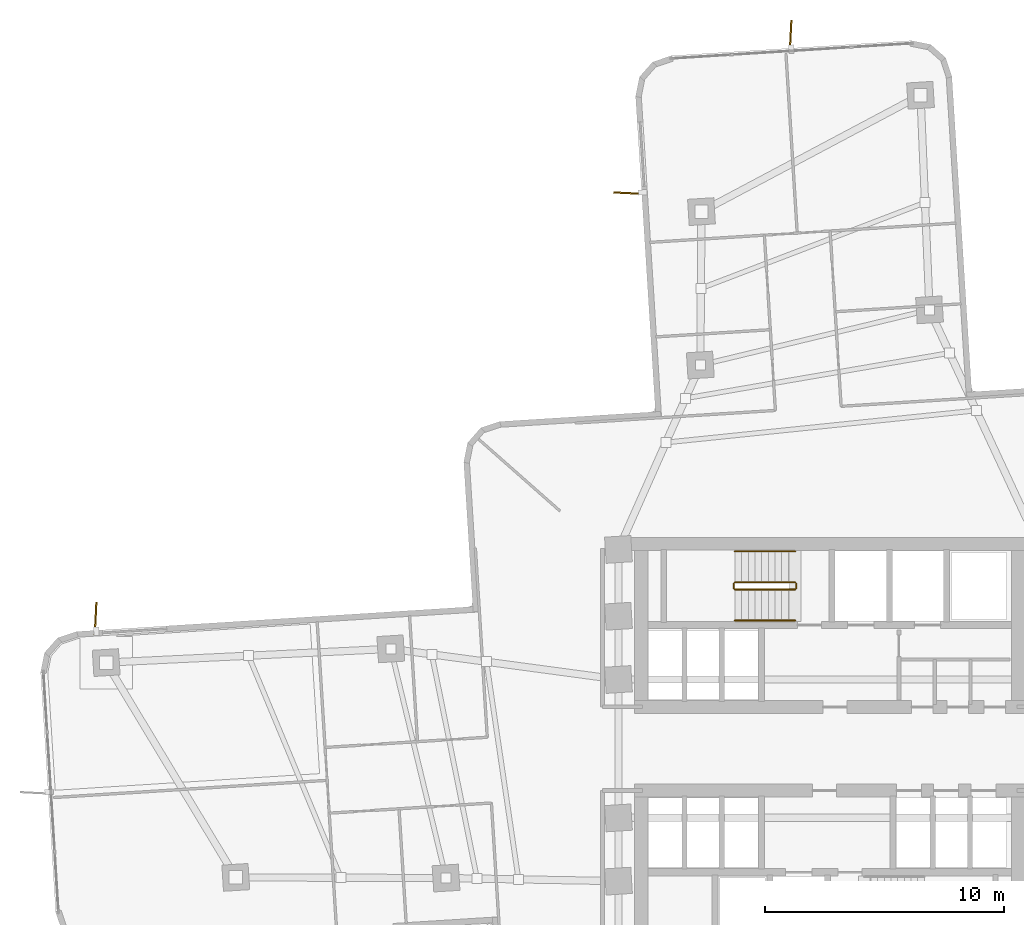
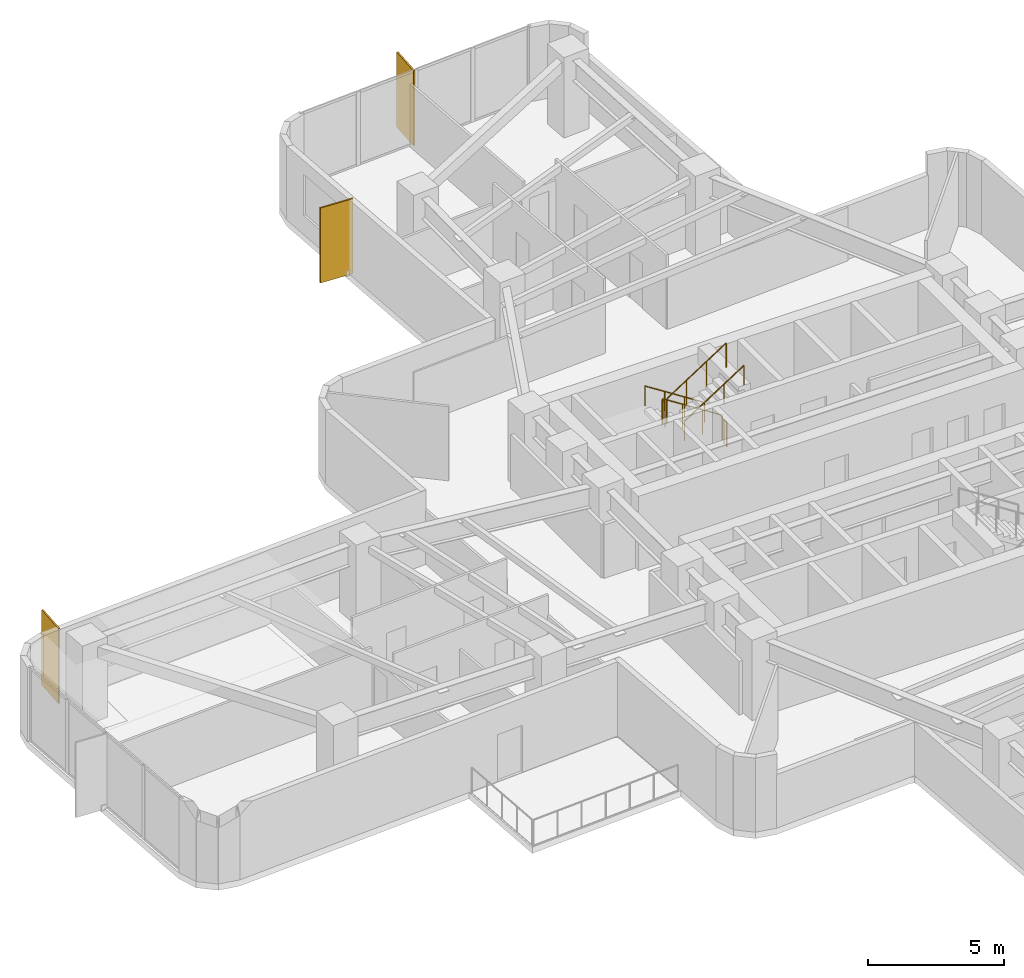
# One storey, part 15 of 16: 6 railings, 3 shading devices.
"""IFC4 building model written with IfcOpenShell, lengths in metres."""

import ifcopenshell
import ifcopenshell.guid

model = None  # the IFC model being written
_history = None  # IfcOwnerHistory: only IFC2X3 demands one
_inside = {}  # id of a spatial element -> (the spatial element, [elements in it])
_under = {}  # id of a project, library or spatial element -> (it, [spatial elements below it])
_declared = {}  # id of a project -> (the project, [libraries it declares])
_typed = {}  # id of a type object -> (the type object, [elements of that type])
_made_of = {}  # id of a material, layer set ... -> (it, [elements and type objects made of it])


def new_model(schema):
    """Start an empty IFC model of exactly this schema.

    Asked for "IFC4X3", IfcOpenShell would pick the latest addendum, in which some entities
    have other attributes; the version numbers below select the first issue.
    IFC2X3 requires an IfcOwnerHistory on every rooted entity: one is made here for all.
    """
    global model, _history
    if schema == "IFC4X3":
        model = ifcopenshell.file(schema_version=(4, 3, 0, 0))
    else:
        model = ifcopenshell.file(schema=schema)
    _inside.clear()
    _under.clear()
    _declared.clear()
    _typed.clear()
    _made_of.clear()
    _history = None
    if model.schema == "IFC2X3":
        org = make("IfcOrganization", Name="unknown")
        user = make(
            "IfcPersonAndOrganization",
            ThePerson=make("IfcPerson", FamilyName="unknown"),
            TheOrganization=org,
        )
        app = make(
            "IfcApplication",
            ApplicationDeveloper=org,
            Version="unknown",
            ApplicationFullName="unknown",
            ApplicationIdentifier="unknown",
        )
        _history = make(
            "IfcOwnerHistory",
            OwningUser=user,
            OwningApplication=app,
            ChangeAction="ADDED",
            CreationDate=0,
        )
    return model


def make(cls, **values):
    """One entity of the class cls with the attributes given. An attribute that is None is left unset."""
    return model.create_entity(
        cls, **{name: value for name, value in values.items() if value is not None}
    )


def rooted(cls, **values):
    """An entity with a GlobalId (a new one), such as an element, a storey or a relation."""
    return make(cls, GlobalId=ifcopenshell.guid.new(), OwnerHistory=_history, **values)


def si_unit(unit_type, name, prefix=None):
    """IfcSIUnit, for example si_unit("LENGTHUNIT", "METRE", prefix="MILLI")."""
    return make("IfcSIUnit", UnitType=unit_type, Prefix=prefix, Name=name)


def assignment(units):
    """IfcUnitAssignment: the units of a project."""
    return None if units is None else make("IfcUnitAssignment", Units=units)


def point(xyz):
    """IfcCartesianPoint."""
    return None if xyz is None else make("IfcCartesianPoint", Coordinates=xyz)


def direction(xyz):
    """IfcDirection."""
    return None if xyz is None else make("IfcDirection", DirectionRatios=xyz)


def frame(location, z_axis=None, x_axis=None):
    """IfcAxis2Placement3D, a coordinate frame: its origin and axes. An axis left out is left unset."""
    return make(
        "IfcAxis2Placement3D",
        Location=point(location),
        Axis=direction(z_axis),
        RefDirection=direction(x_axis),
    )


def frame_2d(location, x_axis=None):
    """IfcAxis2Placement2D, a coordinate frame in the plane: its origin and x axis."""
    return make(
        "IfcAxis2Placement2D", Location=point(location), RefDirection=direction(x_axis)
    )


def origin():
    """The frame at (0, 0, 0) with its axes left unset."""
    return frame((0.0, 0.0, 0.0))


def origin_2d():
    """The frame at (0, 0) in the plane with its x axis left unset."""
    return frame_2d((0.0, 0.0))


def place(relative_to, where):
    """IfcLocalPlacement: puts the frame where relative to a parent placement (None: the world)."""
    return make(
        "IfcLocalPlacement", PlacementRelTo=relative_to, RelativePlacement=where
    )


def context(
    kind, dimensions, precision=None, world=None, true_north=None, identifier=None
):
    """IfcGeometricRepresentationContext, for example the 3D "Model" context."""
    return make(
        "IfcGeometricRepresentationContext",
        ContextIdentifier=identifier,
        ContextType=kind,
        CoordinateSpaceDimension=dimensions,
        Precision=precision,
        WorldCoordinateSystem=world,
        TrueNorth=true_north,
    )


def subcontext(parent, identifier, kind, view, scale=None):
    """IfcGeometricRepresentationSubContext, for example "Body" below "Model"."""
    return make(
        "IfcGeometricRepresentationSubContext",
        ContextIdentifier=identifier,
        ContextType=kind,
        ParentContext=parent,
        TargetScale=scale,
        TargetView=view,
    )


def project(units=None, contexts=None):
    """IfcProject with its units and contexts."""
    return rooted(
        "IfcProject",
        Name="project",
        RepresentationContexts=contexts,
        UnitsInContext=assignment(units),
    )


def spatial(cls, under=None, at=None, **own):
    """A site, building, storey or space (cls), placed at a placement, below another one or the project."""
    s = rooted(cls, ObjectPlacement=at, **own)
    if under is not None:
        _under.setdefault(under.id(), (under, []))[1].append(s)
    return s


def profile(cls, at=None, kind="AREA", **sizes):
    """A parametric profile (cls). Its sizes go by their IFC names, for example OverallWidth=200.0."""
    return make(cls, ProfileType=kind, Position=at, **sizes)


def rectangle(**sizes):
    """IfcRectangleProfileDef."""
    return profile("IfcRectangleProfileDef", **sizes)


def circle(**sizes):
    """IfcCircleProfileDef."""
    return profile("IfcCircleProfileDef", **sizes)


def extrude(swept, where, along, depth):
    """IfcExtrudedAreaSolid: the profile swept, set in the frame where, extruded along a direction by depth."""
    return make(
        "IfcExtrudedAreaSolid",
        SweptArea=swept,
        Position=where,
        ExtrudedDirection=direction(along),
        Depth=depth,
    )


def shape(context_of_items, identifier, shape_type, items):
    """IfcShapeRepresentation: the items that make up one representation, for example the "Body"."""
    return make(
        "IfcShapeRepresentation",
        ContextOfItems=context_of_items,
        RepresentationIdentifier=identifier,
        RepresentationType=shape_type,
        Items=items,
    )


def material(Name=None, Category=None):
    """IfcMaterial."""
    return make("IfcMaterial", Name=Name, Category=Category)


def layer(
    of_material, thickness, ventilated=None, Name=None, Category=None, Priority=None
):
    """IfcMaterialLayer: one layer of a wall or slab, of a material (None: an air gap)."""
    return make(
        "IfcMaterialLayer",
        Material=of_material,
        LayerThickness=thickness,
        IsVentilated=ventilated,
        Name=Name,
        Category=Category,
        Priority=Priority,
    )


def layer_set(layers, Name=None):
    """IfcMaterialLayerSet."""
    return make("IfcMaterialLayerSet", MaterialLayers=layers, LayerSetName=Name)


def made_of(thing, what):
    """Note that an element or type object is made of a material, layer set ...; save() writes the relation."""
    if what is not None:
        _made_of.setdefault(what.id(), (what, []))[1].append(thing)
    return thing


def type_object(cls, material=None, **own):
    """A type object (cls), such as IfcWallType, which elements share."""
    return made_of(rooted(cls, **own), material)


def element(
    cls,
    number,
    at=None,
    inside=None,
    cuts=None,
    type_object=None,
    material=None,
    context=None,
    identifier="Body",
    shape_type=None,
    held_by="IfcProductDefinitionShape",
    body=None,
    shapes=None,
    **own,
):
    """One element of the class cls, such as IfcWall. Its Tag is "e" and its number.

    at: its placement. inside: the storey or other place that contains it. cuts: it is an
    opening in that element (IfcRelVoidsElement). A single representation is given by context,
    identifier, shape_type and body (its items); several are given by shapes. held_by: the class
    of the entity that holds the representations. save() writes the other relations.
    """
    e = rooted(cls, Tag="e%d" % number, ObjectPlacement=at, **own)
    if body is not None:
        shapes = [shape(context, identifier, shape_type, body)]
    if shapes is not None:
        e.Representation = make(held_by, Representations=shapes)
    if inside is not None:
        _inside.setdefault(inside.id(), (inside, []))[1].append(e)
    if cuts is not None:
        rooted(
            "IfcRelVoidsElement", RelatingBuildingElement=cuts, RelatedOpeningElement=e
        )
    if type_object is not None:
        _typed.setdefault(type_object.id(), (type_object, []))[1].append(e)
    return made_of(e, material)


def aggregate(whole, parts):
    """IfcRelAggregates: a whole, such as a stair, and the parts it consists of."""
    return rooted("IfcRelAggregates", RelatingObject=whole, RelatedObjects=parts)


def save(model, path):
    """Write the relations noted so far, then the file.

    IfcRelAggregates (storeys below a building ...), IfcRelContainedInSpatialStructure (elements
    in a storey), IfcRelDefinesByType, IfcRelAssociatesMaterial and IfcRelDeclares: one each for
    every whole, place, type object, material and project.
    """
    for whole, parts in _under.values():
        aggregate(whole, parts)
    for where, things in _inside.values():
        rooted(
            "IfcRelContainedInSpatialStructure",
            RelatedElements=things,
            RelatingStructure=where,
        )
    for kind, things in _typed.values():
        rooted("IfcRelDefinesByType", RelatedObjects=things, RelatingType=kind)
    for what, things in _made_of.values():
        rooted("IfcRelAssociatesMaterial", RelatedObjects=things, RelatingMaterial=what)
    for by, libraries in _declared.values():
        rooted("IfcRelDeclares", RelatingContext=by, RelatedDefinitions=libraries)
    model.write(path)


model = new_model("IFC4")

# Units and contexts
model_context = context("Model", 3, precision=1e-05, world=origin(), true_north=direction((0.0, 1.0)))
body_context = subcontext(model_context, "Body", "Model", "MODEL_VIEW")
ifc_project = project(units=[si_unit("LENGTHUNIT", "METRE"), si_unit("AREAUNIT", "SQUARE_METRE"), si_unit("VOLUMEUNIT", "CUBIC_METRE"), si_unit("PLANEANGLEUNIT", "RADIAN"), si_unit("MASSUNIT", "GRAM", prefix="KILO")], contexts=[model_context])

# Site, building, storey
site_placement = place(None, origin())
site = spatial("IfcSite", under=ifc_project, at=site_placement, CompositionType="ELEMENT")
building_placement = place(site_placement, origin())
building = spatial("IfcBuilding", under=site, at=building_placement, Name="Solmarez Civic Tower", CompositionType="ELEMENT")
storey_placement = place(building_placement, frame((0.0, 0.0, 53.280029296875)))
storey = spatial("IfcBuildingStorey", under=building, at=storey_placement, Name="L13", CompositionType="ELEMENT", Elevation=53.280029296875)

# Shading devices
ifc_material_1 = material(Name="Bronze Anodised Aluminium EN AW-6063 T6", Category="aluminium")
ifc_layer = layer(ifc_material_1, 0.06494140625)
ifc_layer_set = layer_set([ifc_layer], Name="Bronze Anodised Aluminium EN AW-6063 T6")
shading_device_type = type_object("IfcShadingDeviceType", Name="FIN-BRONZE-Z12", PredefinedType="USERDEFINED", material=ifc_layer_set)
for number, where, z_axis, x_axis, name in (
    (1, (-30.762939453125, 5.464111328125, -0.0400390625), (0.0, 0.0, 1.0), (0.050941555809, 0.998701636071, 0.0), "L13 Anodised Bronze Solar Fin FIN-L13-02"),
    (2, (-8.383056640625, 23.279052734375, -0.0400390625), (0.0, 0.0, 1.0), (-0.998703413659, 0.050906694514, 0.0), "L13 Anodised Bronze Solar Fin FIN-L13-03"),
    (3, (-1.637939453125, 29.861083984375, -0.0400390625), (0.0, 0.0, 1.0), (0.050941555809, 0.998701636071, 0.0), "L13 Anodised Bronze Solar Fin FIN-L13-04"),
):
    element("IfcShadingDevice", number, at=place(storey_placement, frame(where, z_axis=z_axis, x_axis=x_axis)), inside=storey, type_object=shading_device_type, Name=name, ObjectType="FIN", PredefinedType="USERDEFINED", context=body_context, shape_type="SweptSolid", body=[
        extrude(rectangle(XDim=1.35009765625, YDim=0.06494140625, at=origin_2d()), origin(), (0.0, 0.0, 1.0), 3.360107421875),
    ])

# Railings
ifc_material_2 = material(Name="Painted Steel Stairwell Safety Guard", Category="steel")
railing_type_1 = type_object("IfcRailingType", Name="GUARD-STAIR-1120", PredefinedType="BALUSTRADE", material=ifc_material_2)
railing_1_placement = place(storey_placement, frame((-1.449951171875, 6.969970703125, 0.179931640625)))
element("IfcRailing", 4, at=railing_1_placement, inside=storey, type_object=railing_type_1, Name="L13 ST-1 stair guard 1", PredefinedType="BALUSTRADE", context=body_context, shape_type="SweptSolid", body=[
    extrude(circle(Radius=0.02392578125, at=origin_2d()), frame((0.0, 0.0, 1.09619140625), z_axis=(-0.841162588446, 0.0, 0.540782303519), x_axis=(0.0, -1.0, 0.0)), (0.0, 0.0, 1.0), 2.995849609375),
    extrude(circle(Radius=0.02099609375, at=origin_2d()), origin(), (0.0, 0.0, 1.0), 1.072021484375),
    extrude(circle(Radius=0.02099609375, at=origin_2d()), frame((-0.840087890625, 0.0, 0.5400390625)), (0.0, 0.0, 1.0), 1.072021484375),
    extrude(circle(Radius=0.02099609375, at=origin_2d()), frame((-1.679931640625, 0.0, 1.080078125)), (0.0, 0.0, 1.0), 1.072021484375),
    extrude(circle(Radius=0.02099609375, at=origin_2d()), frame((-2.52001953125, 0.0, 1.6201171875)), (0.0, 0.0, 1.0), 1.072021484375),
])
railing_2_placement = place(storey_placement, frame((-4.02001953125, 6.919921875, 1.800048828125)))
element("IfcRailing", 5, at=railing_2_placement, inside=storey, type_object=railing_type_1, Name="L13 ST-1 stair guard 2", PredefinedType="BALUSTRADE", context=body_context, shape_type="SweptSolid", body=[
    extrude(circle(Radius=0.02392578125, at=origin_2d()), frame((0.0, 0.0, 1.09619140625), z_axis=(0.0, -1.0, 0.0), x_axis=(1.0, 0.0, 0.0)), (0.0, 0.0, 1.0), 0.199951171875),
    extrude(circle(Radius=0.02099609375, at=origin_2d()), origin(), (0.0, 0.0, 1.0), 1.072021484375),
    extrude(circle(Radius=0.02099609375, at=origin_2d()), frame((0.0, -0.199951171875, 0.0)), (0.0, 0.0, 1.0), 1.072021484375),
])
railing_3_placement = place(storey_placement, frame((-3.969970703125, 6.669921875, 1.97998046875)))
element("IfcRailing", 6, at=railing_3_placement, inside=storey, type_object=railing_type_1, Name="L13 ST-1 stair guard 3", PredefinedType="BALUSTRADE", context=body_context, shape_type="SweptSolid", body=[
    extrude(circle(Radius=0.02392578125, at=origin_2d()), frame((0.0, 0.0, 1.09619140625), z_axis=(0.841199657755, 0.0, 0.540724639528), x_axis=(0.0, 1.0, 0.0)), (0.0, 0.0, 1.0), 2.995849609375),
    extrude(circle(Radius=0.02099609375, at=origin_2d()), origin(), (0.0, 0.0, 1.0), 1.072021484375),
    extrude(circle(Radius=0.02099609375, at=origin_2d()), frame((0.840087890625, 0.0, 0.5400390625)), (0.0, 0.0, 1.0), 1.072021484375),
    extrude(circle(Radius=0.02099609375, at=origin_2d()), frame((1.679931640625, 0.0, 1.079833984375)), (0.0, 0.0, 1.0), 1.072021484375),
    extrude(circle(Radius=0.02099609375, at=origin_2d()), frame((2.52001953125, 0.0, 1.619873046875)), (0.0, 0.0, 1.0), 1.072021484375),
])
railing_4_placement = place(storey_placement, frame((-1.39990234375, 6.919921875, 0.0)))
element("IfcRailing", 7, at=railing_4_placement, inside=storey, type_object=railing_type_1, Name="L13 ST-1 stair guard 4", PredefinedType="BALUSTRADE", context=body_context, shape_type="SweptSolid", body=[
    extrude(circle(Radius=0.02392578125, at=origin_2d()), frame((0.0, 0.0, 1.09619140625), z_axis=(0.0, -1.0, 0.0), x_axis=(1.0, 0.0, 0.0)), (0.0, 0.0, 1.0), 0.199951171875),
    extrude(circle(Radius=0.02099609375, at=origin_2d()), origin(), (0.0, 0.0, 1.0), 1.072021484375),
    extrude(circle(Radius=0.02099609375, at=origin_2d()), frame((0.0, -0.199951171875, 0.0)), (0.0, 0.0, 1.0), 1.072021484375),
])
ifc_material_3 = material(Name="Brushed Stainless Steel Tube Handrail", Category="steel")
railing_type_2 = type_object("IfcRailingType", Name="HANDRAIL-STAIR-900", PredefinedType="HANDRAIL", material=ifc_material_3)
railing_5_placement = place(storey_placement, frame((-1.449951171875, 8.27001953125, 0.179931640625)))
element("IfcRailing", 8, at=railing_5_placement, inside=storey, type_object=railing_type_2, Name="L13 ST-1 stair handrail 1", PredefinedType="HANDRAIL", context=body_context, shape_type="SweptSolid", body=[
    extrude(circle(Radius=0.02392578125, at=origin_2d()), frame((0.0, 0.0, 0.8759765625), z_axis=(-0.841162588446, 0.0, 0.540782303519), x_axis=(0.0, -1.0, 0.0)), (0.0, 0.0, 1.0), 2.995849609375),
    extrude(circle(Radius=0.02099609375, at=origin_2d()), origin(), (0.0, 0.0, 1.0), 0.851806640625),
    extrude(circle(Radius=0.02099609375, at=origin_2d()), frame((-0.840087890625, 0.0, 0.5400390625)), (0.0, 0.0, 1.0), 0.851806640625),
    extrude(circle(Radius=0.02099609375, at=origin_2d()), frame((-1.679931640625, 0.0, 1.080078125)), (0.0, 0.0, 1.0), 0.851806640625),
    extrude(circle(Radius=0.02099609375, at=origin_2d()), frame((-2.52001953125, 0.0, 1.6201171875)), (0.0, 0.0, 1.0), 0.851806640625),
])
railing_6_placement = place(storey_placement, frame((-3.969970703125, 5.3701171875, 1.97998046875)))
element("IfcRailing", 9, at=railing_6_placement, inside=storey, type_object=railing_type_2, Name="L13 ST-1 stair handrail 2", PredefinedType="HANDRAIL", context=body_context, shape_type="SweptSolid", body=[
    extrude(circle(Radius=0.02392578125, at=origin_2d()), frame((0.0, 0.0, 0.8759765625), z_axis=(0.841199657755, 0.0, 0.540724639528), x_axis=(0.0, 1.0, 0.0)), (0.0, 0.0, 1.0), 2.995849609375),
    extrude(circle(Radius=0.02099609375, at=origin_2d()), origin(), (0.0, 0.0, 1.0), 0.851806640625),
    extrude(circle(Radius=0.02099609375, at=origin_2d()), frame((0.840087890625, 0.0, 0.5400390625)), (0.0, 0.0, 1.0), 0.851806640625),
    extrude(circle(Radius=0.02099609375, at=origin_2d()), frame((1.679931640625, 0.0, 1.079833984375)), (0.0, 0.0, 1.0), 0.851806640625),
    extrude(circle(Radius=0.02099609375, at=origin_2d()), frame((2.52001953125, 0.0, 1.619873046875)), (0.0, 0.0, 1.0), 0.851806640625),
])

save(model, "model.ifc")
